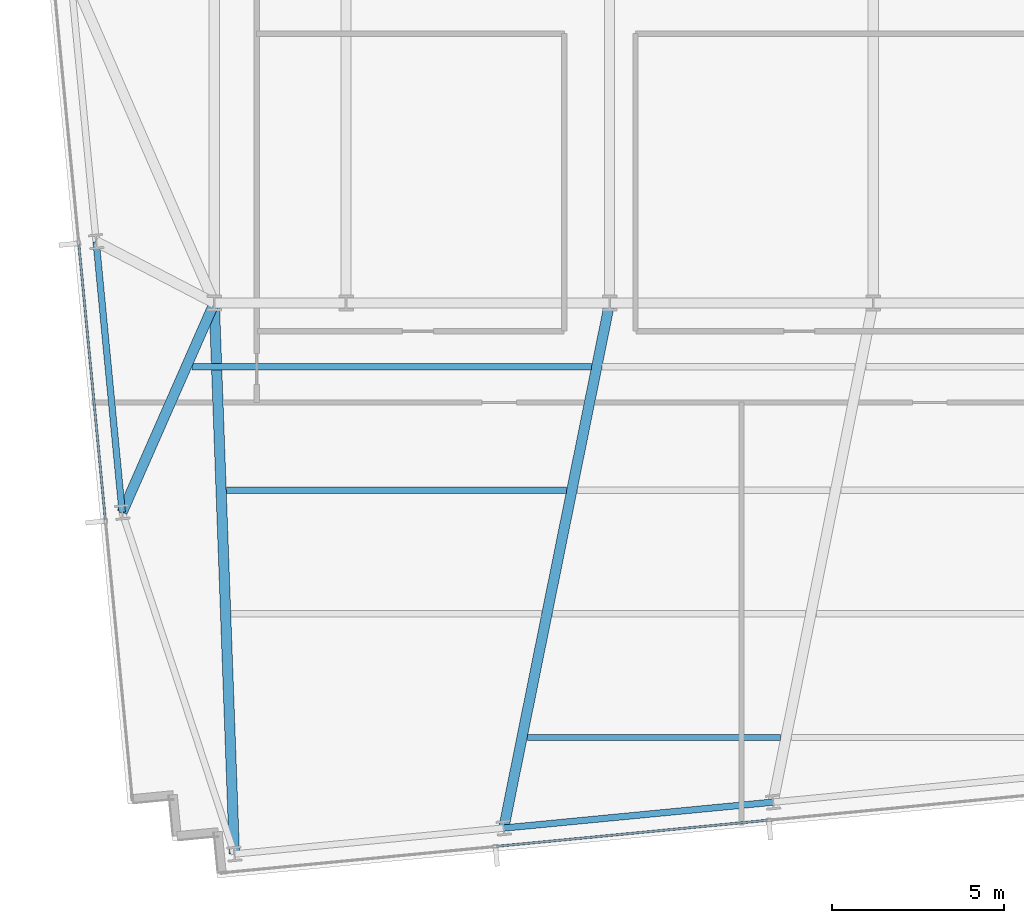
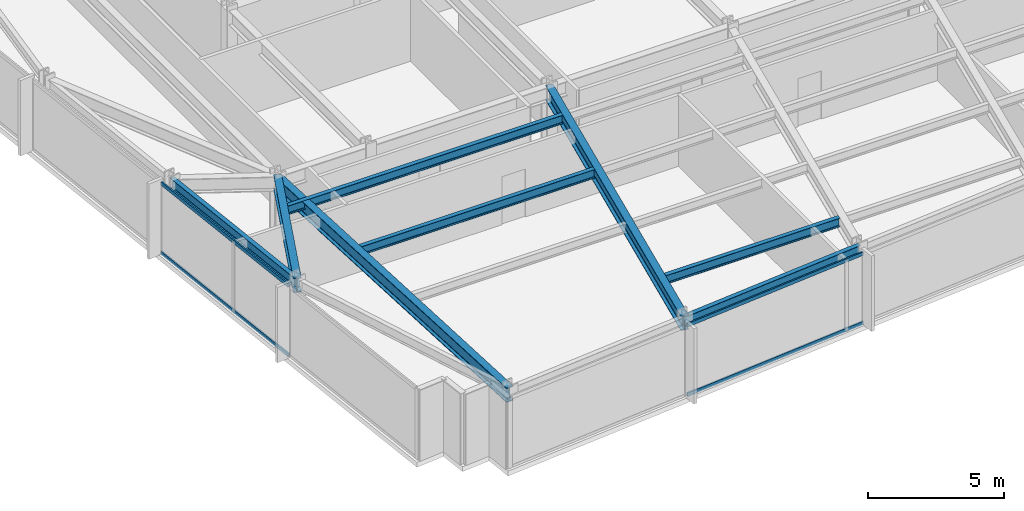
# One storey, part 3 of 32: 8 beams, 4 members, 2 elements without a shape of their own.
"""IFC4 building model written with IfcOpenShell, lengths in metres."""

from ifc_helpers import new_model, si_unit, direction, frame, origin, origin_2d, place, context, subcontext, project, spatial, hollow_rectangle, i_section, extrude, material, material_profile, profile_set, type_object, element, aggregate, save


model = new_model("IFC4")

# Units and contexts
model_context = context("Model", 3, precision=1e-05, world=origin(), true_north=direction((0.0, 1.0)))
body_context = subcontext(model_context, "Body", "Model", "MODEL_VIEW")
ifc_project = project(units=[si_unit("LENGTHUNIT", "METRE"), si_unit("AREAUNIT", "SQUARE_METRE"), si_unit("VOLUMEUNIT", "CUBIC_METRE"), si_unit("PLANEANGLEUNIT", "RADIAN"), si_unit("MASSUNIT", "GRAM", prefix="KILO")], contexts=[model_context])

# Site, building, storey
site_placement = place(None, origin())
site = spatial("IfcSite", under=ifc_project, at=site_placement, CompositionType="ELEMENT")
building_placement = place(site_placement, origin())
building = spatial("IfcBuilding", under=site, at=building_placement, Name="Yelkora Congress Tower", CompositionType="ELEMENT")
storey_placement = place(building_placement, frame((0.0, 0.0, 103.300048828125)))
storey = spatial("IfcBuildingStorey", under=building, at=storey_placement, Name="L27", CompositionType="ELEMENT", Elevation=103.300048828125)

# Beams
ifc_material_1 = material(Name="Steel S355J2", Category="steel")
ifc_material_profile_1 = material_profile(ifc_material_1, i_section(OverallWidth=0.300048828125, OverallDepth=0.64990234375, WebThickness=0.01611328125, FlangeThickness=0.031005859375, FilletRadius=0.027099609375, at=origin_2d()), Name="HEB 650")
ifc_profile_set_1 = profile_set([ifc_material_profile_1], Name="Steel S355J2")
beam_type_1 = type_object("IfcBeamType", Name="BM-GIRD-HEB650", PredefinedType="BEAM", material=ifc_profile_set_1)
beam_1_placement = place(storey_placement, frame((19.785888671875, 9.144287109375, 2.85498046875), z_axis=(-0.03646985294, 0.999334753637, 0.0), x_axis=(-0.999334753637, -0.03646985294, 0.0)))
element("IfcBeam", 1, at=beam_1_placement, inside=storey, type_object=beam_type_1, Name="L27 Primary Frame Girder S01", PredefinedType="BEAM", context=body_context, shape_type="SweptSolid", body=[
    extrude(i_section(OverallWidth=0.300048828125, OverallDepth=0.64990234375, WebThickness=0.01611328125, FlangeThickness=0.031005859375, FilletRadius=0.027099609375, at=origin_2d()), origin(), (0.0, 0.0, 1.0), 16.06640625),
])
beam_2_placement = place(storey_placement, frame((27.635498046875, 9.900146484375, 2.85498046875), z_axis=(0.197625995154, 0.980277494406, 0.0), x_axis=(-0.980277494406, 0.197625995154, 0.0)))
element("IfcBeam", 2, at=beam_2_placement, inside=storey, type_object=beam_type_1, Name="L27 Primary Frame Girder S02", PredefinedType="BEAM", context=body_context, shape_type="SweptSolid", body=[
    extrude(i_section(OverallWidth=0.300048828125, OverallDepth=0.64990234375, WebThickness=0.01611328125, FlangeThickness=0.031005859375, FilletRadius=0.027099609375, at=origin_2d()), origin(), (0.0, 0.0, 1.0), 15.607666015625),
])
beam_3_placement = place(storey_placement, frame((16.5166015625, 19.101806640625, 2.85498046875), z_axis=(0.402759490709, 0.915305846504, 0.0), x_axis=(-0.915305846504, 0.402759490709, 0.0)))
element("IfcBeam", 3, at=beam_3_placement, inside=storey, type_object=beam_type_1, Name="L27 Primary Frame Girder W01", PredefinedType="BEAM", context=body_context, shape_type="SweptSolid", body=[
    extrude(i_section(OverallWidth=0.300048828125, OverallDepth=0.64990234375, WebThickness=0.01611328125, FlangeThickness=0.031005859375, FilletRadius=0.027099609375, at=origin_2d()), origin(), (0.0, 0.0, 1.0), 6.662353515625),
])
ifc_material_profile_2 = material_profile(ifc_material_1, i_section(OverallWidth=0.179931640625, OverallDepth=0.39990234375, WebThickness=0.008544921875, FlangeThickness=0.013427734375, FilletRadius=0.02099609375, at=origin_2d()), Name="IPE 400")
ifc_profile_set_2 = profile_set([ifc_material_profile_2], Name="Steel S355J2")
beam_type_2 = type_object("IfcBeamType", Name="BM-JOIST-IPE400", PredefinedType="JOIST", material=ifc_profile_set_2)
beam_4_placement = place(storey_placement, frame((28.32861328125, 12.54443359375, 2.97998046875), z_axis=(1.0, 0.0, 0.0), x_axis=(0.0, 1.0, 0.0)))
element("IfcBeam", 4, at=beam_4_placement, inside=storey, type_object=beam_type_2, Name="L27 Composite Floor Joist 1", PredefinedType="JOIST", context=body_context, shape_type="SweptSolid", body=[
    extrude(i_section(OverallWidth=0.179931640625, OverallDepth=0.39990234375, WebThickness=0.008544921875, FlangeThickness=0.013427734375, FilletRadius=0.02099609375, at=origin_2d()), origin(), (0.0, 0.0, 1.0), 7.374755859375),
])
beam_5_placement = place(storey_placement, frame((19.55908203125, 19.744384765625, 2.97998046875), z_axis=(1.0, 0.0, 0.0), x_axis=(0.0, 1.0, 0.0)))
element("IfcBeam", 5, at=beam_5_placement, inside=storey, type_object=beam_type_2, Name="L27 Composite Floor Joist 11", PredefinedType="JOIST", context=body_context, shape_type="SweptSolid", body=[
    extrude(i_section(OverallWidth=0.179931640625, OverallDepth=0.39990234375, WebThickness=0.008544921875, FlangeThickness=0.013427734375, FilletRadius=0.02099609375, at=origin_2d()), origin(), (0.0, 0.0, 1.0), 9.901123046875),
])
beam_6_placement = place(storey_placement, frame((18.54345703125, 23.344482421875, 2.97998046875), z_axis=(1.0, 0.0, 0.0), x_axis=(0.0, 1.0, 0.0)))
element("IfcBeam", 6, at=beam_6_placement, inside=storey, type_object=beam_type_2, Name="L27 Composite Floor Joist 18", PredefinedType="JOIST", context=body_context, shape_type="SweptSolid", body=[
    extrude(i_section(OverallWidth=0.179931640625, OverallDepth=0.39990234375, WebThickness=0.008544921875, FlangeThickness=0.013427734375, FilletRadius=0.02099609375, at=origin_2d()), origin(), (0.0, 0.0, 1.0), 11.642333984375),
])
ifc_material_profile_3 = material_profile(ifc_material_1, i_section(OverallWidth=0.18994140625, OverallDepth=0.449951171875, WebThickness=0.009521484375, FlangeThickness=0.0146484375, FilletRadius=0.02099609375, at=origin_2d()), Name="IPE 450")
ifc_profile_set_3 = profile_set([ifc_material_profile_3], Name="Steel S355J2")
beam_type_3 = type_object("IfcBeamType", Name="BM-SPAN-IPE450", PredefinedType="SPANDREL", material=ifc_profile_set_3)
beam_7_placement = place(storey_placement, frame((15.757080078125, 26.990478515625, 2.954833984375), z_axis=(0.09583684824, -0.995397055712, 0.0), x_axis=(0.995397055712, 0.09583684824, 0.0)))
element("IfcBeam", 7, at=beam_7_placement, inside=storey, type_object=beam_type_3, Name="L27 Perimeter Beam 1", PredefinedType="SPANDREL", context=body_context, shape_type="SweptSolid", body=[
    extrude(i_section(OverallWidth=0.18994140625, OverallDepth=0.449951171875, WebThickness=0.009521484375, FlangeThickness=0.0146484375, FilletRadius=0.02099609375, at=origin_2d()), origin(), (0.0, 0.0, 1.0), 7.925048828125),
])
beam_8_placement = place(storey_placement, frame((27.635498046875, 9.900146484375, 2.954833984375), z_axis=(0.995395575667, 0.095852219286, 0.0), x_axis=(-0.095852219286, 0.995395575667, 0.0)))
element("IfcBeam", 8, at=beam_8_placement, inside=storey, type_object=beam_type_3, Name="L27 Perimeter Beam 4", PredefinedType="SPANDREL", context=body_context, shape_type="SweptSolid", body=[
    extrude(i_section(OverallWidth=0.18994140625, OverallDepth=0.449951171875, WebThickness=0.009521484375, FlangeThickness=0.0146484375, FilletRadius=0.02099609375, at=origin_2d()), origin(), (0.0, 0.0, 1.0), 7.8857421875),
])

# Curtain wall, members
ifc_material_2 = material(Name="Anodised aluminium and insulated glass", Category="aluminium")
curtain_wall_type = type_object("IfcCurtainWallType", Name="CW-SYS-B2", PredefinedType="NOTDEFINED", material=ifc_material_2)
curtain_wall_1_placement = place(storey_placement, origin())
curtain_wall_1 = element("IfcCurtainWall", 9, at=curtain_wall_1_placement, inside=storey, type_object=curtain_wall_type, Name="L27 Unitised Curtain Wall 5", PredefinedType="NOTDEFINED")
ifc_material_3 = material(Name="Anodised aluminium 6063-T6", Category="aluminium")
ifc_material_profile_4 = material_profile(ifc_material_3, hollow_rectangle(XDim=0.06494140625, YDim=0.159912109375, WallThickness=0.00390625, at=origin_2d()), Name="ALU 65x160x4")
ifc_profile_set_4 = profile_set([ifc_material_profile_4], Name="Anodised aluminium 6063-T6")
member_type = type_object("IfcMemberType", Name="MEM-TR-B2", PredefinedType="USERDEFINED", material=ifc_profile_set_4)
member_1_placement = place(storey_placement, frame((16.025146484375, 18.8837890625, 0.032470703125), z_axis=(-0.095838228465, 0.995396922823, 0.0), x_axis=(-0.995396922823, -0.095838228465, 0.0)))
member_1 = element("IfcMember", 10, at=member_1_placement, type_object=member_type, Name="CW-B2 transom 2.1", ObjectType="TRANSOM", PredefinedType="USERDEFINED", context=body_context, shape_type="SweptSolid", body=[
    extrude(hollow_rectangle(XDim=0.06494140625, YDim=0.159912109375, WallThickness=0.00390625, at=origin_2d()), origin(), (0.0, 0.0, 1.0), 8.06005859375),
])
member_2_placement = place(storey_placement, frame((16.025146484375, 18.8837890625, 3.1474609375), z_axis=(-0.095838228465, 0.995396922823, 0.0), x_axis=(-0.995396922823, -0.095838228465, 0.0)))
member_2 = element("IfcMember", 11, at=member_2_placement, type_object=member_type, Name="CW-B2 transom 2.2", ObjectType="TRANSOM", PredefinedType="USERDEFINED", context=body_context, shape_type="SweptSolid", body=[
    extrude(hollow_rectangle(XDim=0.06494140625, YDim=0.159912109375, WallThickness=0.00390625, at=origin_2d()), origin(), (0.0, 0.0, 1.0), 8.06005859375),
])
aggregate(curtain_wall_1, [member_1, member_2])

curtain_wall_2_placement = place(storey_placement, origin())
curtain_wall_2 = element("IfcCurtainWall", 12, at=curtain_wall_2_placement, inside=storey, type_object=curtain_wall_type, Name="L27 Unitised Curtain Wall 20", PredefinedType="NOTDEFINED")
member_3_placement = place(storey_placement, frame((35.323974609375, 10.128173828125, 0.032470703125), z_axis=(-0.995397293396, -0.095834379534, 0.0), x_axis=(0.095834379534, -0.995397293396, 0.0)))
member_3 = element("IfcMember", 13, at=member_3_placement, type_object=member_type, Name="CW-B2 transom 6.1", ObjectType="TRANSOM", PredefinedType="USERDEFINED", context=body_context, shape_type="SweptSolid", body=[
    extrude(hollow_rectangle(XDim=0.06494140625, YDim=0.159912109375, WallThickness=0.00390625, at=origin_2d()), origin(), (0.0, 0.0, 1.0), 7.93310546875),
])
member_4_placement = place(storey_placement, frame((35.323974609375, 10.128173828125, 3.1474609375), z_axis=(-0.995397293396, -0.095834379534, 0.0), x_axis=(0.095834379534, -0.995397293396, 0.0)))
member_4 = element("IfcMember", 14, at=member_4_placement, type_object=member_type, Name="CW-B2 transom 6.2", ObjectType="TRANSOM", PredefinedType="USERDEFINED", context=body_context, shape_type="SweptSolid", body=[
    extrude(hollow_rectangle(XDim=0.06494140625, YDim=0.159912109375, WallThickness=0.00390625, at=origin_2d()), origin(), (0.0, 0.0, 1.0), 7.93310546875),
])
aggregate(curtain_wall_2, [member_3, member_4])

save(model, "model.ifc")
